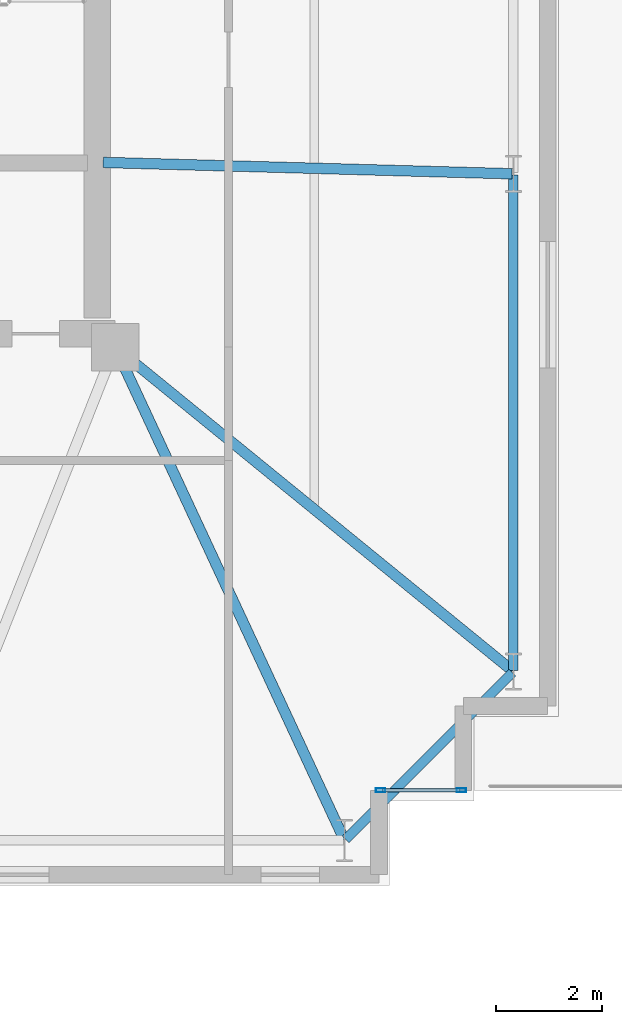
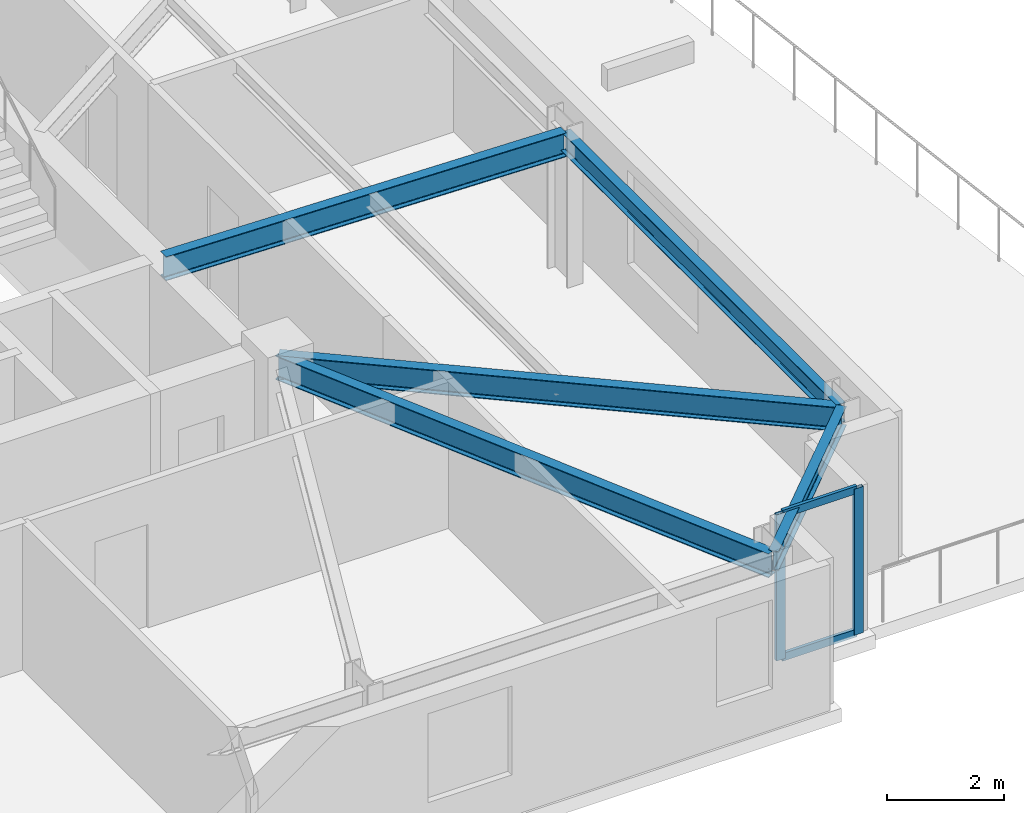
# One storey, part 5 of 19: 5 beams, 4 members, 1 element without a shape of its own.
"""IFC4 building model written with IfcOpenShell, lengths in metres."""

from ifc_helpers import new_model, si_unit, direction, frame, origin, origin_2d, place, context, subcontext, project, spatial, hollow_rectangle, i_section, extrude, material, layer, layer_set, material_profile, profile_set, type_object, element, aggregate, save


model = new_model("IFC4")

# Units and contexts
model_context = context("Model", 3, precision=1e-05, world=origin(), true_north=direction((0.0, 1.0)))
body_context = subcontext(model_context, "Body", "Model", "MODEL_VIEW")
ifc_project = project(units=[si_unit("LENGTHUNIT", "METRE"), si_unit("AREAUNIT", "SQUARE_METRE"), si_unit("VOLUMEUNIT", "CUBIC_METRE"), si_unit("PLANEANGLEUNIT", "RADIAN"), si_unit("MASSUNIT", "GRAM", prefix="KILO")], contexts=[model_context])

# Site, building, storey
site_placement = place(None, origin())
site = spatial("IfcSite", under=ifc_project, at=site_placement, CompositionType="ELEMENT")
building_placement = place(site_placement, origin())
building = spatial("IfcBuilding", under=site, at=building_placement, Name="Qobustan Lattice House", CompositionType="ELEMENT")
storey_placement = place(building_placement, frame((0.0, 0.0, 131.0)))
storey = spatial("IfcBuildingStorey", under=building, at=storey_placement, Name="L36", CompositionType="ELEMENT", Elevation=131.0)

# Beams
ifc_material_1 = material(Name="Steel S355", Category="steel")
ifc_material_profile_1 = material_profile(ifc_material_1, i_section(OverallWidth=0.199951171875, OverallDepth=0.5, WebThickness=0.01025390625, FlangeThickness=0.01611328125, FilletRadius=0.02099609375, at=origin_2d()), Name="IPE500")
ifc_profile_set_1 = profile_set([ifc_material_profile_1], Name="Steel S355")
beam_type_1 = type_object("IfcBeamType", Name="BM-FLG-IPE500", PredefinedType="USERDEFINED", material=ifc_profile_set_1)
beam_1_placement = place(storey_placement, frame((23.139404296875, -14.92724609375, 2.7900390625), z_axis=(-0.421827633168, 0.906676043521, 0.0), x_axis=(-0.906676043521, -0.421827633168, 0.0)))
element("IfcBeam", 1, at=beam_1_placement, inside=storey, type_object=beam_type_1, Name="L36 primary floor girder RAD-S7E", ObjectType="GIRDER", PredefinedType="USERDEFINED", context=body_context, shape_type="SweptSolid", body=[
    extrude(i_section(OverallWidth=0.199951171875, OverallDepth=0.5, WebThickness=0.01025390625, FlangeThickness=0.01611328125, FilletRadius=0.02099609375, at=origin_2d()), origin(), (0.0, 0.0, 1.0), 10.26220703125),
])
beam_2_placement = place(storey_placement, frame((26.324951171875, -2.31591796875, 2.7900390625), z_axis=(-0.999614226396, 0.027774059592, 0.0), x_axis=(-0.027774059592, -0.999614226396, 0.0)))
element("IfcBeam", 2, at=beam_2_placement, inside=storey, type_object=beam_type_1, Name="L36 primary floor girder RAD-E2", ObjectType="GIRDER", PredefinedType="USERDEFINED", context=body_context, shape_type="SweptSolid", body=[
    extrude(i_section(OverallWidth=0.199951171875, OverallDepth=0.5, WebThickness=0.01025390625, FlangeThickness=0.01611328125, FilletRadius=0.02099609375, at=origin_2d()), origin(), (0.0, 0.0, 1.0), 7.7529296875),
])
beam_3_placement = place(storey_placement, frame((26.33056640625, -11.734130859375, 2.7900390625), z_axis=(-0.775328675038, 0.631557951152, 0.0), x_axis=(-0.631557951152, -0.775328675038, 0.0)))
element("IfcBeam", 3, at=beam_3_placement, inside=storey, type_object=beam_type_1, Name="L36 primary floor girder RAD-E1", ObjectType="GIRDER", PredefinedType="USERDEFINED", context=body_context, shape_type="SweptSolid", body=[
    extrude(i_section(OverallWidth=0.199951171875, OverallDepth=0.5, WebThickness=0.01025390625, FlangeThickness=0.01611328125, FilletRadius=0.02099609375, at=origin_2d()), origin(), (0.0, 0.0, 1.0), 9.687744140625),
])
ifc_material_2 = material(Name="Steel S355", Category="steel")
ifc_material_profile_2 = material_profile(ifc_material_2, i_section(OverallWidth=0.179931640625, OverallDepth=0.39990234375, WebThickness=0.008544921875, FlangeThickness=0.013427734375, FilletRadius=0.02099609375, at=origin_2d()), Name="IPE400")
ifc_profile_set_2 = profile_set([ifc_material_profile_2], Name="Steel S355")
beam_type_2 = type_object("IfcBeamType", Name="BM-SPD-IPE400", PredefinedType="SPANDREL", material=ifc_profile_set_2)
beam_4_placement = place(storey_placement, frame((23.167724609375, -14.932373046875, 2.840087890625), z_axis=(0.707079505568, 0.707134055753, 0.0), x_axis=(-0.707134055753, 0.707079505568, 0.0)))
element("IfcBeam", 4, at=beam_4_placement, inside=storey, type_object=beam_type_2, Name="L36 perimeter spandrel S7-E1", PredefinedType="SPANDREL", context=body_context, shape_type="SweptSolid", body=[
    extrude(i_section(OverallWidth=0.179931640625, OverallDepth=0.39990234375, WebThickness=0.008544921875, FlangeThickness=0.013427734375, FilletRadius=0.02099609375, at=origin_2d()), origin(), (0.0, 0.0, 1.0), 4.4755859375),
])
beam_5_placement = place(storey_placement, frame((26.35009765625, -11.72509765625, 2.840087890625), z_axis=(0.0, 1.0, 0.0), x_axis=(-1.0, 0.0, 0.0)))
element("IfcBeam", 5, at=beam_5_placement, inside=storey, type_object=beam_type_2, Name="L36 perimeter spandrel E1-E2", PredefinedType="SPANDREL", context=body_context, shape_type="SweptSolid", body=[
    extrude(i_section(OverallWidth=0.179931640625, OverallDepth=0.39990234375, WebThickness=0.008544921875, FlangeThickness=0.013427734375, FilletRadius=0.02099609375, at=origin_2d()), origin(), (0.0, 0.0, 1.0), 9.38330078125),
])

# Curtain wall, members
ifc_material_3 = material(Name="Anodised aluminium and low-E glazing", Category="aluminium")
ifc_layer = layer(ifc_material_3, 0.219970703125)
ifc_layer_set = layer_set([ifc_layer], Name="Anodised aluminium and low-E glazing")
curtain_wall_type = type_object("IfcCurtainWallType", Name="CW-FAC-02", PredefinedType="USERDEFINED", material=ifc_layer_set)
curtain_wall_placement = place(storey_placement, origin())
curtain_wall = element("IfcCurtainWall", 6, at=curtain_wall_placement, inside=storey, type_object=curtain_wall_type, Name="L36 serrated corner faceted glazing 18", ObjectType="CURTAIN WALL", PredefinedType="USERDEFINED")
ifc_material_4 = material(Name="Anodised aluminium EN AW-6063 T6", Category="aluminium")
ifc_material_profile_3 = material_profile(ifc_material_4, hollow_rectangle(XDim=0.070068359375, YDim=0.179931640625, WallThickness=0.00439453125, at=origin_2d()), Name="CWM-180x70")
ifc_profile_set_3 = profile_set([ifc_material_profile_3], Name="Anodised aluminium EN AW-6063 T6")
member_type_1 = type_object("IfcMemberType", Name="CWM-STD-180", PredefinedType="MULLION", material=ifc_profile_set_3)
member_1_placement = place(storey_placement, frame((25.364990234375, -14.0, 0.0), z_axis=(0.0, 0.0, 1.0), x_axis=(0.0, -1.0, 0.0)))
member_1 = element("IfcMember", 7, at=member_1_placement, type_object=member_type_1, Name="CW-F2 mullion 1", PredefinedType="MULLION", context=body_context, shape_type="SweptSolid", body=[
    extrude(hollow_rectangle(XDim=0.070068359375, YDim=0.179931640625, WallThickness=0.00439453125, at=origin_2d()), origin(), (0.0, 0.0, 1.0), 3.0400390625),
])
member_2_placement = place(storey_placement, frame((23.8349609375, -14.0, 0.0), z_axis=(0.0, 0.0, 1.0), x_axis=(0.0, -1.0, 0.0)))
member_2 = element("IfcMember", 8, at=member_2_placement, type_object=member_type_1, Name="CW-F2 mullion 2", PredefinedType="MULLION", context=body_context, shape_type="SweptSolid", body=[
    extrude(hollow_rectangle(XDim=0.070068359375, YDim=0.179931640625, WallThickness=0.00439453125, at=origin_2d()), origin(), (0.0, 0.0, 1.0), 3.0400390625),
])
ifc_material_5 = material(Name="Anodised aluminium EN AW-6063 T6", Category="aluminium")
ifc_material_profile_4 = material_profile(ifc_material_5, hollow_rectangle(XDim=0.06494140625, YDim=0.159912109375, WallThickness=0.00390625, at=origin_2d()), Name="CWT-160x65")
ifc_profile_set_4 = profile_set([ifc_material_profile_4], Name="Anodised aluminium EN AW-6063 T6")
member_type_2 = type_object("IfcMemberType", Name="CWT-HOR-160", PredefinedType="USERDEFINED", material=ifc_profile_set_4)
member_3_placement = place(storey_placement, frame((25.330078125, -14.0, 0.032470703125), z_axis=(-1.0, 0.0, 0.0), x_axis=(0.0, -1.0, 0.0)))
member_3 = element("IfcMember", 9, at=member_3_placement, type_object=member_type_2, Name="CW-F2 transom 1.1", ObjectType="TRANSOM", PredefinedType="USERDEFINED", context=body_context, shape_type="SweptSolid", body=[
    extrude(hollow_rectangle(XDim=0.06494140625, YDim=0.159912109375, WallThickness=0.00390625, at=origin_2d()), origin(), (0.0, 0.0, 1.0), 1.4599609375),
])
member_4_placement = place(storey_placement, frame((25.330078125, -14.0, 3.007568359375), z_axis=(-1.0, 0.0, 0.0), x_axis=(0.0, -1.0, 0.0)))
member_4 = element("IfcMember", 10, at=member_4_placement, type_object=member_type_2, Name="CW-F2 transom 1.2", ObjectType="TRANSOM", PredefinedType="USERDEFINED", context=body_context, shape_type="SweptSolid", body=[
    extrude(hollow_rectangle(XDim=0.06494140625, YDim=0.159912109375, WallThickness=0.00390625, at=origin_2d()), origin(), (0.0, 0.0, 1.0), 1.4599609375),
])
aggregate(curtain_wall, [member_1, member_2, member_3, member_4])

save(model, "model.ifc")
